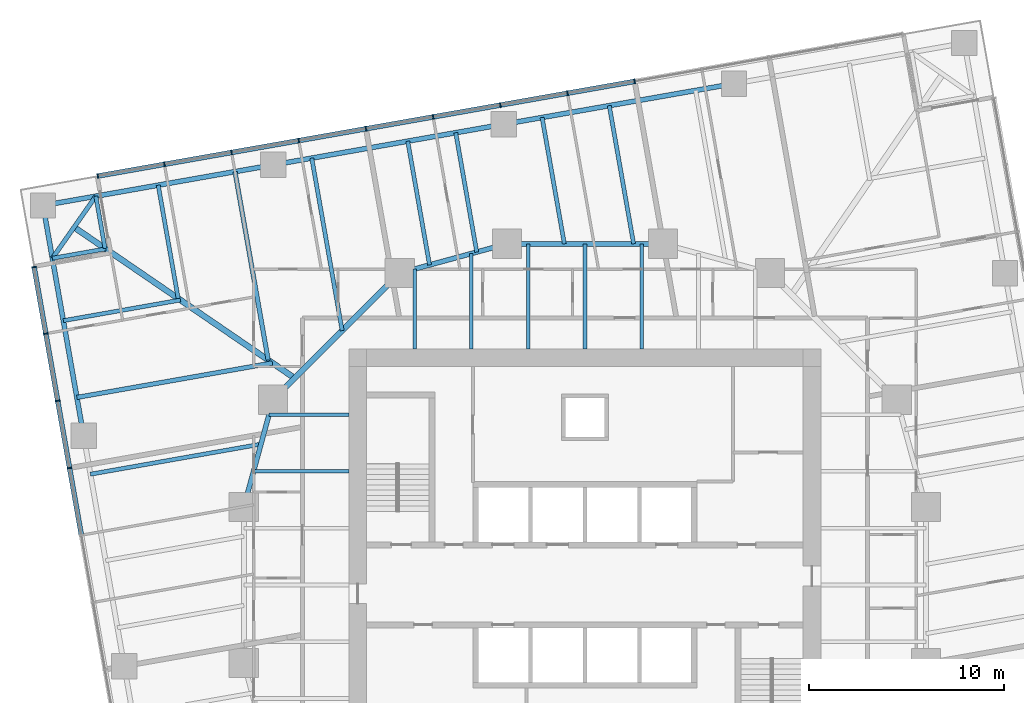
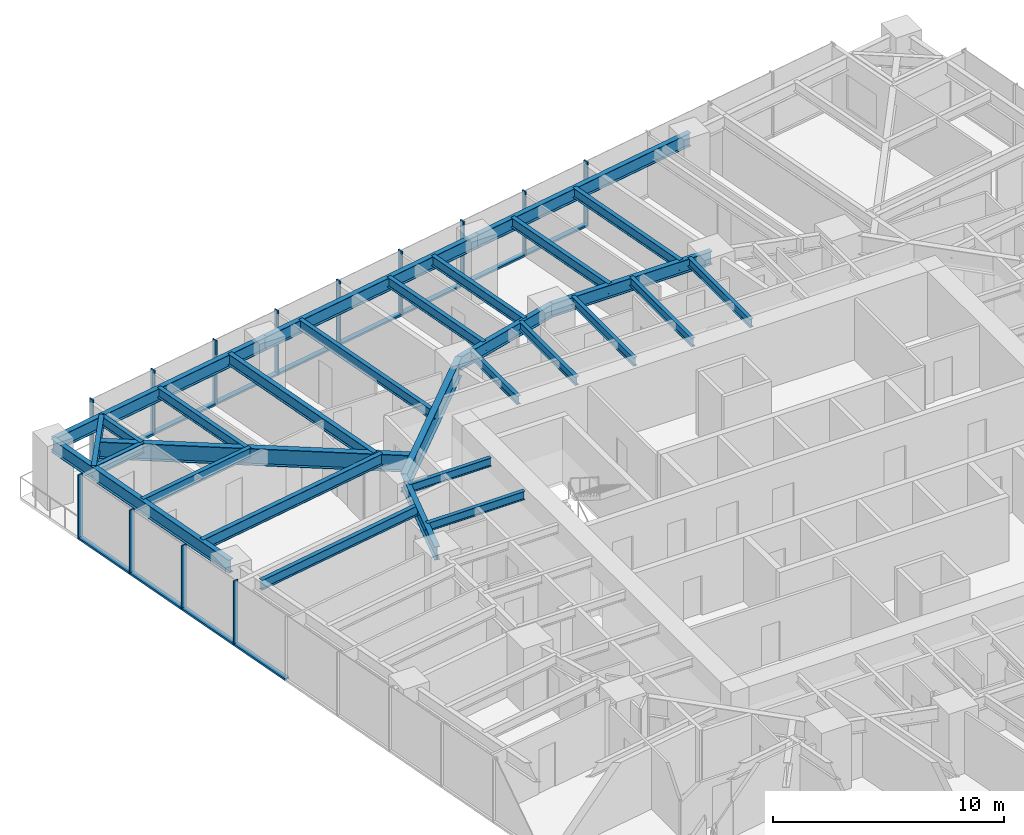
# One storey, part 5 of 14: 29 beams, 25 members, 2 elements without a shape of their own.
"""IFC4 building model written with IfcOpenShell, lengths in metres."""

from ifc_helpers import new_model, si_unit, direction, frame, origin, origin_2d, place, context, subcontext, project, spatial, rectangle, i_section, extrude, material, material_profile, profile_set, type_object, element, aggregate, save


model = new_model("IFC4")

# Units and contexts
model_context = context("Model", 3, precision=1e-05, world=origin(), true_north=direction((0.0, 1.0)))
body_context = subcontext(model_context, "Body", "Model", "MODEL_VIEW")
ifc_project = project(units=[si_unit("LENGTHUNIT", "METRE"), si_unit("AREAUNIT", "SQUARE_METRE"), si_unit("VOLUMEUNIT", "CUBIC_METRE"), si_unit("PLANEANGLEUNIT", "RADIAN"), si_unit("MASSUNIT", "GRAM", prefix="KILO")], contexts=[model_context])

# Site, building, storey
site_placement = place(None, origin())
site = spatial("IfcSite", under=ifc_project, at=site_placement, CompositionType="ELEMENT")
building_placement = place(site_placement, origin())
building = spatial("IfcBuilding", under=site, at=building_placement, Name="Torsade Residences", CompositionType="ELEMENT")
storey_placement = place(building_placement, frame((0.0, 0.0, 89.60009765625)))
storey = spatial("IfcBuildingStorey", under=building, at=storey_placement, Name="L24", CompositionType="ELEMENT", Elevation=89.60009765625)

# Beams
ifc_material_1 = material(Name="Steel grade 300", Category="steel")
ifc_material_profile_1 = material_profile(ifc_material_1, i_section(OverallWidth=0.300048828125, OverallDepth=0.89990234375, WebThickness=0.011962890625, FlangeThickness=0.02490234375, at=origin_2d()), Name="900WB175")
ifc_profile_set_1 = profile_set([ifc_material_profile_1], Name="Steel grade 300")
beam_type_1 = type_object("IfcBeamType", Name="CORNER GIRDER 900WB175", PredefinedType="BEAM", material=ifc_profile_set_1)
beam_1_placement = place(storey_placement, frame((13.7900390625, 48.3525390625, 2.7998046875), z_axis=(0.825279313977, -0.564724759437, 0.0), x_axis=(0.564724759437, 0.825279313977, 0.0)))
element("IfcBeam", 1, at=beam_1_placement, inside=storey, type_object=beam_type_1, Name="Corner girder 13 L25", PredefinedType="BEAM", context=body_context, shape_type="SweptSolid", body=[
    extrude(i_section(OverallWidth=0.300048828125, OverallDepth=0.89990234375, WebThickness=0.011962890625, FlangeThickness=0.02490234375, at=origin_2d()), origin(), (0.0, 0.0, 1.0), 13.7138671875),
])
ifc_material_2 = material(Name="Steel grade 300", Category="steel")
ifc_material_profile_2 = material_profile(ifc_material_2, i_section(OverallWidth=0.22802734375, OverallDepth=0.60205078125, WebThickness=0.010498046875, FlangeThickness=0.014892578125, FilletRadius=0.013916015625, at=origin_2d()), Name="610UB101")
ifc_profile_set_2 = profile_set([ifc_material_profile_2], Name="Steel grade 300")
beam_type_2 = type_object("IfcBeamType", Name="CORNER TRIMMER 610UB101", PredefinedType="BEAM", material=ifc_profile_set_2)
beam_2_placement = place(storey_placement, frame((12.674560546875, 46.759521484375, 2.948974609375), z_axis=(0.573576092373, 0.819152285145, 0.0), x_axis=(-0.819152285145, 0.573576092373, 0.0)))
element("IfcBeam", 2, at=beam_2_placement, inside=storey, type_object=beam_type_2, Name="Corner trimmer 13 L25", PredefinedType="BEAM", context=body_context, shape_type="SweptSolid", body=[
    extrude(i_section(OverallWidth=0.22802734375, OverallDepth=0.60205078125, WebThickness=0.010498046875, FlangeThickness=0.014892578125, FilletRadius=0.013916015625, at=origin_2d()), origin(), (0.0, 0.0, 1.0), 3.88916015625),
])

# Curtain wall, members
ifc_material_3 = material(Name="Aluminium and glass", Category="aluminium")
curtain_wall_type = type_object("IfcCurtainWallType", Name="FRITTED GLASS CURTAIN WALL LOW ZONE", PredefinedType="NOTDEFINED", material=ifc_material_3)
curtain_wall_1_placement = place(storey_placement, origin())
curtain_wall_1 = element("IfcCurtainWall", 3, at=curtain_wall_1_placement, inside=storey, type_object=curtain_wall_type, Name="Curtain wall L24 face 7", PredefinedType="NOTDEFINED")
ifc_material_4 = material(Name="Aluminium mullion", Category="aluminium")
ifc_material_profile_3 = material_profile(ifc_material_4, rectangle(XDim=0.25, YDim=0.06494140625, at=origin_2d()), Name="CURTAIN WALL MULLION 250x65")
ifc_profile_set_3 = profile_set([ifc_material_profile_3], Name="Aluminium mullion")
member_type_1 = type_object("IfcMemberType", Name="CURTAIN WALL MULLION 250x65", PredefinedType="MULLION", material=ifc_profile_set_3)
member_1_placement = place(storey_placement, frame((42.552490234375, 55.835693359375, 0.0), z_axis=(0.0, 0.0, 1.0), x_axis=(0.173648192638, -0.984807750372, 0.0)))
member_1 = element("IfcMember", 4, at=member_1_placement, type_object=member_type_1, Name="Mullion 5", PredefinedType="MULLION", context=body_context, shape_type="SweptSolid", body=[
    extrude(rectangle(XDim=0.25, YDim=0.06494140625, at=origin_2d()), origin(), (0.0, 0.0, 1.0), 3.39990234375),
])
member_2_placement = place(storey_placement, frame((39.105712890625, 55.22802734375, 0.0), z_axis=(0.0, 0.0, 1.0), x_axis=(0.173648192638, -0.984807750372, 0.0)))
member_2 = element("IfcMember", 5, at=member_2_placement, type_object=member_type_1, Name="Mullion 6", PredefinedType="MULLION", context=body_context, shape_type="SweptSolid", body=[
    extrude(rectangle(XDim=0.25, YDim=0.06494140625, at=origin_2d()), origin(), (0.0, 0.0, 1.0), 3.39990234375),
])
member_3_placement = place(storey_placement, frame((35.65869140625, 54.6201171875, 0.0), z_axis=(0.0, 0.0, 1.0), x_axis=(0.173648192638, -0.984807750372, 0.0)))
member_3 = element("IfcMember", 6, at=member_3_placement, type_object=member_type_1, Name="Mullion 7", PredefinedType="MULLION", context=body_context, shape_type="SweptSolid", body=[
    extrude(rectangle(XDim=0.25, YDim=0.06494140625, at=origin_2d()), origin(), (0.0, 0.0, 1.0), 3.39990234375),
])
member_4_placement = place(storey_placement, frame((32.2119140625, 54.012451171875, 0.0), z_axis=(0.0, 0.0, 1.0), x_axis=(0.173648192638, -0.984807750372, 0.0)))
member_4 = element("IfcMember", 7, at=member_4_placement, type_object=member_type_1, Name="Mullion 8", PredefinedType="MULLION", context=body_context, shape_type="SweptSolid", body=[
    extrude(rectangle(XDim=0.25, YDim=0.06494140625, at=origin_2d()), origin(), (0.0, 0.0, 1.0), 3.39990234375),
])
member_5_placement = place(storey_placement, frame((28.76513671875, 53.404541015625, 0.0), z_axis=(0.0, 0.0, 1.0), x_axis=(0.173648192638, -0.984807750372, 0.0)))
member_5 = element("IfcMember", 8, at=member_5_placement, type_object=member_type_1, Name="Mullion 9", PredefinedType="MULLION", context=body_context, shape_type="SweptSolid", body=[
    extrude(rectangle(XDim=0.25, YDim=0.06494140625, at=origin_2d()), origin(), (0.0, 0.0, 1.0), 3.39990234375),
])
member_6_placement = place(storey_placement, frame((25.318359375, 52.796875, 0.0), z_axis=(0.0, 0.0, 1.0), x_axis=(0.173648192638, -0.984807750372, 0.0)))
member_6 = element("IfcMember", 9, at=member_6_placement, type_object=member_type_1, Name="Mullion 10", PredefinedType="MULLION", context=body_context, shape_type="SweptSolid", body=[
    extrude(rectangle(XDim=0.25, YDim=0.06494140625, at=origin_2d()), origin(), (0.0, 0.0, 1.0), 3.39990234375),
])
member_7_placement = place(storey_placement, frame((21.87158203125, 52.189208984375, 0.0), z_axis=(0.0, 0.0, 1.0), x_axis=(0.173648192638, -0.984807750372, 0.0)))
member_7 = element("IfcMember", 10, at=member_7_placement, type_object=member_type_1, Name="Mullion 11", PredefinedType="MULLION", context=body_context, shape_type="SweptSolid", body=[
    extrude(rectangle(XDim=0.25, YDim=0.06494140625, at=origin_2d()), origin(), (0.0, 0.0, 1.0), 3.39990234375),
])
member_8_placement = place(storey_placement, frame((18.424560546875, 51.581298828125, 0.0), z_axis=(0.0, 0.0, 1.0), x_axis=(0.173648192638, -0.984807750372, 0.0)))
member_8 = element("IfcMember", 11, at=member_8_placement, type_object=member_type_1, Name="Mullion 12", PredefinedType="MULLION", context=body_context, shape_type="SweptSolid", body=[
    extrude(rectangle(XDim=0.25, YDim=0.06494140625, at=origin_2d()), origin(), (0.0, 0.0, 1.0), 3.39990234375),
])
member_9_placement = place(storey_placement, frame((15.009765625, 50.979248046875, 0.0), z_axis=(0.0, 0.0, 1.0), x_axis=(0.173648192638, -0.984807750372, 0.0)))
member_9 = element("IfcMember", 12, at=member_9_placement, type_object=member_type_1, Name="Mullion 13", PredefinedType="MULLION", context=body_context, shape_type="SweptSolid", body=[
    extrude(rectangle(XDim=0.25, YDim=0.06494140625, at=origin_2d()), origin(), (0.0, 0.0, 1.0), 3.39990234375),
])

curtain_wall_2_placement = place(storey_placement, origin())
curtain_wall_2 = element("IfcCurtainWall", 13, at=curtain_wall_2_placement, inside=storey, type_object=curtain_wall_type, Name="Curtain wall L24 face 10", PredefinedType="NOTDEFINED")
member_10_placement = place(storey_placement, frame((11.73876953125, 46.307861328125, 0.0), z_axis=(0.0, 0.0, 1.0), x_axis=(0.984807750372, 0.173648192638, 0.0)))
member_10 = element("IfcMember", 14, at=member_10_placement, type_object=member_type_1, Name="Mullion 1", PredefinedType="MULLION", context=body_context, shape_type="SweptSolid", body=[
    extrude(rectangle(XDim=0.25, YDim=0.06494140625, at=origin_2d()), origin(), (0.0, 0.0, 1.0), 3.39990234375),
])
member_11_placement = place(storey_placement, frame((12.341064453125, 42.892822265625, 0.0), z_axis=(0.0, 0.0, 1.0), x_axis=(0.984807750372, 0.173648192638, 0.0)))
member_11 = element("IfcMember", 15, at=member_11_placement, type_object=member_type_1, Name="Mullion 2", PredefinedType="MULLION", context=body_context, shape_type="SweptSolid", body=[
    extrude(rectangle(XDim=0.25, YDim=0.06494140625, at=origin_2d()), origin(), (0.0, 0.0, 1.0), 3.39990234375),
])
member_12_placement = place(storey_placement, frame((12.94873046875, 39.446044921875, 0.0), z_axis=(0.0, 0.0, 1.0), x_axis=(0.984807750372, 0.173648192638, 0.0)))
member_12 = element("IfcMember", 16, at=member_12_placement, type_object=member_type_1, Name="Mullion 3", PredefinedType="MULLION", context=body_context, shape_type="SweptSolid", body=[
    extrude(rectangle(XDim=0.25, YDim=0.06494140625, at=origin_2d()), origin(), (0.0, 0.0, 1.0), 3.39990234375),
])
member_13_placement = place(storey_placement, frame((13.556396484375, 35.999267578125, 0.0), z_axis=(0.0, 0.0, 1.0), x_axis=(0.984807750372, 0.173648192638, 0.0)))
member_13 = element("IfcMember", 17, at=member_13_placement, type_object=member_type_1, Name="Mullion 4", PredefinedType="MULLION", context=body_context, shape_type="SweptSolid", body=[
    extrude(rectangle(XDim=0.25, YDim=0.06494140625, at=origin_2d()), origin(), (0.0, 0.0, 1.0), 3.39990234375),
])

# Member
ifc_material_5 = material(Name="Aluminium transom", Category="aluminium")
ifc_material_profile_4 = material_profile(ifc_material_5, rectangle(XDim=0.25, YDim=0.10009765625, at=origin_2d()), Name="CURTAIN WALL TRANSOM 250x100")
ifc_profile_set_4 = profile_set([ifc_material_profile_4], Name="Aluminium transom")
member_type_2 = type_object("IfcMemberType", Name="CURTAIN WALL TRANSOM 250x100", PredefinedType="USERDEFINED", material=ifc_profile_set_4)
member_14_placement = place(storey_placement, frame((42.5205078125, 55.830078125, 0.0498046875), z_axis=(-0.984810021497, -0.17363531196, 0.0), x_axis=(0.17363531196, -0.984810021497, 0.0)))
member_14 = element("IfcMember", 18, at=member_14_placement, type_object=member_type_2, Name="Transom 5.1", ObjectType="TRANSOM", PredefinedType="USERDEFINED", context=body_context, shape_type="SweptSolid", body=[
    extrude(rectangle(XDim=0.25, YDim=0.10009765625, at=origin_2d()), origin(), (0.0, 0.0, 1.0), 3.43505859375),
])

member_15_placement = place(storey_placement, frame((39.07373046875, 55.222412109375, 0.0498046875), z_axis=(-0.98479786563, -0.173704242465, 0.0), x_axis=(0.173704242465, -0.98479786563, 0.0)))
member_15 = element("IfcMember", 19, at=member_15_placement, type_object=member_type_2, Name="Transom 6.1", ObjectType="TRANSOM", PredefinedType="USERDEFINED", context=body_context, shape_type="SweptSolid", body=[
    extrude(rectangle(XDim=0.25, YDim=0.10009765625, at=origin_2d()), origin(), (0.0, 0.0, 1.0), 3.43505859375),
])

member_16_placement = place(storey_placement, frame((35.626708984375, 54.614501953125, 0.0498046875), z_axis=(-0.984810021497, -0.17363531196, 0.0), x_axis=(0.17363531196, -0.984810021497, 0.0)))
member_16 = element("IfcMember", 20, at=member_16_placement, type_object=member_type_2, Name="Transom 7.1", ObjectType="TRANSOM", PredefinedType="USERDEFINED", context=body_context, shape_type="SweptSolid", body=[
    extrude(rectangle(XDim=0.25, YDim=0.10009765625, at=origin_2d()), origin(), (0.0, 0.0, 1.0), 3.43505859375),
])

member_17_placement = place(storey_placement, frame((32.179931640625, 54.0068359375, 0.0498046875), z_axis=(-0.984810021497, -0.17363531196, 0.0), x_axis=(0.17363531196, -0.984810021497, 0.0)))
member_17 = element("IfcMember", 21, at=member_17_placement, type_object=member_type_2, Name="Transom 8.1", ObjectType="TRANSOM", PredefinedType="USERDEFINED", context=body_context, shape_type="SweptSolid", body=[
    extrude(rectangle(XDim=0.25, YDim=0.10009765625, at=origin_2d()), origin(), (0.0, 0.0, 1.0), 3.43505859375),
])

member_18_placement = place(storey_placement, frame((28.733154296875, 53.39892578125, 0.0498046875), z_axis=(-0.984810021497, -0.17363531196, 0.0), x_axis=(0.17363531196, -0.984810021497, 0.0)))
member_18 = element("IfcMember", 22, at=member_18_placement, type_object=member_type_2, Name="Transom 9.1", ObjectType="TRANSOM", PredefinedType="USERDEFINED", context=body_context, shape_type="SweptSolid", body=[
    extrude(rectangle(XDim=0.25, YDim=0.10009765625, at=origin_2d()), origin(), (0.0, 0.0, 1.0), 3.43505859375),
])

member_19_placement = place(storey_placement, frame((25.286376953125, 52.791259765625, 0.0498046875), z_axis=(-0.984810021497, -0.17363531196, 0.0), x_axis=(0.17363531196, -0.984810021497, 0.0)))
member_19 = element("IfcMember", 23, at=member_19_placement, type_object=member_type_2, Name="Transom 10.1", ObjectType="TRANSOM", PredefinedType="USERDEFINED", context=body_context, shape_type="SweptSolid", body=[
    extrude(rectangle(XDim=0.25, YDim=0.10009765625, at=origin_2d()), origin(), (0.0, 0.0, 1.0), 3.43505859375),
])

member_20_placement = place(storey_placement, frame((21.839599609375, 52.18359375, 0.0498046875), z_axis=(-0.98479786563, -0.173704242465, 0.0), x_axis=(0.173704242465, -0.98479786563, 0.0)))
member_20 = element("IfcMember", 24, at=member_20_placement, type_object=member_type_2, Name="Transom 11.1", ObjectType="TRANSOM", PredefinedType="USERDEFINED", context=body_context, shape_type="SweptSolid", body=[
    extrude(rectangle(XDim=0.25, YDim=0.10009765625, at=origin_2d()), origin(), (0.0, 0.0, 1.0), 3.43505859375),
])

member_21_placement = place(storey_placement, frame((18.392578125, 51.57568359375, 0.0498046875), z_axis=(-0.984808830466, -0.173642067011, 0.0), x_axis=(0.173642067011, -0.984808830466, 0.0)))
member_21 = element("IfcMember", 25, at=member_21_placement, type_object=member_type_2, Name="Transom 12.1", ObjectType="TRANSOM", PredefinedType="USERDEFINED", context=body_context, shape_type="SweptSolid", body=[
    extrude(rectangle(XDim=0.25, YDim=0.10009765625, at=origin_2d()), origin(), (0.0, 0.0, 1.0), 3.402587890625),
])

aggregate(curtain_wall_1, [member_1, member_2, member_3, member_4, member_5, member_6, member_7, member_8, member_9, member_14, member_15, member_16, member_17, member_18, member_19, member_20, member_21])

member_22_placement = place(storey_placement, frame((11.744384765625, 46.275634765625, 0.0498046875), z_axis=(0.173654337918, -0.984806666774, 0.0), x_axis=(0.984806666774, 0.173654337918, 0.0)))
member_22 = element("IfcMember", 26, at=member_22_placement, type_object=member_type_2, Name="Transom 1.1", ObjectType="TRANSOM", PredefinedType="USERDEFINED", context=body_context, shape_type="SweptSolid", body=[
    extrude(rectangle(XDim=0.25, YDim=0.10009765625, at=origin_2d()), origin(), (0.0, 0.0, 1.0), 3.40234375),
])

member_23_placement = place(storey_placement, frame((12.3466796875, 42.86083984375, 0.0498046875), z_axis=(0.17363531196, -0.984810021497, 0.0), x_axis=(0.984810021497, 0.17363531196, 0.0)))
member_23 = element("IfcMember", 27, at=member_23_placement, type_object=member_type_2, Name="Transom 2.1", ObjectType="TRANSOM", PredefinedType="USERDEFINED", context=body_context, shape_type="SweptSolid", body=[
    extrude(rectangle(XDim=0.25, YDim=0.10009765625, at=origin_2d()), origin(), (0.0, 0.0, 1.0), 3.43505859375),
])

member_24_placement = place(storey_placement, frame((12.954345703125, 39.4140625, 0.0498046875), z_axis=(0.17363531196, -0.984810021497, 0.0), x_axis=(0.984810021497, 0.17363531196, 0.0)))
member_24 = element("IfcMember", 28, at=member_24_placement, type_object=member_type_2, Name="Transom 3.1", ObjectType="TRANSOM", PredefinedType="USERDEFINED", context=body_context, shape_type="SweptSolid", body=[
    extrude(rectangle(XDim=0.25, YDim=0.10009765625, at=origin_2d()), origin(), (0.0, 0.0, 1.0), 3.43505859375),
])

member_25_placement = place(storey_placement, frame((13.562255859375, 35.96728515625, 0.0498046875), z_axis=(0.17363531196, -0.984810021497, 0.0), x_axis=(0.984810021497, 0.17363531196, 0.0)))
member_25 = element("IfcMember", 29, at=member_25_placement, type_object=member_type_2, Name="Transom 4.1", ObjectType="TRANSOM", PredefinedType="USERDEFINED", context=body_context, shape_type="SweptSolid", body=[
    extrude(rectangle(XDim=0.25, YDim=0.10009765625, at=origin_2d()), origin(), (0.0, 0.0, 1.0), 3.43505859375),
])

aggregate(curtain_wall_2, [member_10, member_11, member_12, member_13, member_22, member_23, member_24, member_25])

# Beams
ifc_material_6 = material(Name="Steel grade 300", Category="steel")
ifc_material_profile_5 = material_profile(ifc_material_6, i_section(OverallWidth=0.25, OverallDepth=0.699951171875, WebThickness=0.010009765625, FlangeThickness=0.02001953125, at=origin_2d()), Name="700WB130")
ifc_profile_set_5 = profile_set([ifc_material_profile_5], Name="Steel grade 300")
beam_type_3 = type_object("IfcBeamType", Name="EDGE BEAM 700WB130", PredefinedType="SPANDREL", material=ifc_profile_set_5)
beam_3_placement = place(storey_placement, frame((47.650146484375, 55.71923828125, 2.89990234375), z_axis=(-0.984808127031, -0.173646056486, 0.0), x_axis=(0.173646056486, -0.984808127031, 0.0)))
element("IfcBeam", 30, at=beam_3_placement, inside=storey, type_object=beam_type_3, Name="Edge beam 10 L25", PredefinedType="SPANDREL", context=body_context, shape_type="SweptSolid", body=[
    extrude(i_section(OverallWidth=0.25, OverallDepth=0.699951171875, WebThickness=0.010009765625, FlangeThickness=0.02001953125, at=origin_2d()), origin(), (0.0, 0.0, 1.0), 12.0),
])
beam_4_placement = place(storey_placement, frame((35.83251953125, 53.635498046875, 2.89990234375), z_axis=(-0.984805261243, -0.173662308598, 0.0), x_axis=(0.173662308598, -0.984805261243, 0.0)))
element("IfcBeam", 31, at=beam_4_placement, inside=storey, type_object=beam_type_3, Name="Edge beam 11 L25", PredefinedType="SPANDREL", context=body_context, shape_type="SweptSolid", body=[
    extrude(i_section(OverallWidth=0.25, OverallDepth=0.699951171875, WebThickness=0.010009765625, FlangeThickness=0.02001953125, at=origin_2d()), origin(), (0.0, 0.0, 1.0), 12.000244140625),
])
for number, where, z_axis, x_axis, name in (
    (32, (24.0146484375, 51.551513671875, 2.89990234375), (-0.984808127031, -0.173646056486, 0.0), (0.173646056486, -0.984808127031, 0.0), "Edge beam 12 L25"),
    (33, (12.197021484375, 49.4677734375, 2.89990234375), (0.173646056486, -0.984808127031, 0.0), (0.984808127031, 0.173646056486, 0.0), "Edge beam 13 L25"),
):
    element("IfcBeam", number, at=place(storey_placement, frame(where, z_axis=z_axis, x_axis=x_axis)), inside=storey, type_object=beam_type_3, Name=name, PredefinedType="SPANDREL", context=body_context, shape_type="SweptSolid", body=[
        extrude(i_section(OverallWidth=0.25, OverallDepth=0.699951171875, WebThickness=0.010009765625, FlangeThickness=0.02001953125, at=origin_2d()), origin(), (0.0, 0.0, 1.0), 12.0),
    ])
ifc_material_7 = material(Name="Steel grade 300", Category="steel")
ifc_material_profile_6 = material_profile(ifc_material_7, i_section(OverallWidth=0.18994140625, OverallDepth=0.4541015625, WebThickness=0.008544921875, FlangeThickness=0.0126953125, FilletRadius=0.011474609375, at=origin_2d()), Name="460UB67.1")
ifc_profile_set_6 = profile_set([ifc_material_profile_6], Name="Steel grade 300")
beam_type_4 = type_object("IfcBeamType", Name="INNER FLOOR BEAM 460UB67.1", PredefinedType="JOIST", material=ifc_profile_set_6)
beam_5_placement = place(storey_placement, frame((31.262451171875, 42.10009765625, 3.02294921875), z_axis=(0.0, 1.0, 0.0), x_axis=(-1.0, 0.0, 0.0)))
element("IfcBeam", 34, at=beam_5_placement, inside=storey, type_object=beam_type_4, Name="Inner floor beam IN01 L25", PredefinedType="JOIST", context=body_context, shape_type="SweptSolid", body=[
    extrude(i_section(OverallWidth=0.18994140625, OverallDepth=0.4541015625, WebThickness=0.008544921875, FlangeThickness=0.0126953125, FilletRadius=0.011474609375, at=origin_2d()), origin(), (0.0, 0.0, 1.0), 4.10791015625),
])
beam_6_placement = place(storey_placement, frame((34.175048828125, 42.10009765625, 3.02294921875), z_axis=(0.0, 1.0, 0.0), x_axis=(-1.0, 0.0, 0.0)))
element("IfcBeam", 35, at=beam_6_placement, inside=storey, type_object=beam_type_4, Name="Inner floor beam IN02 L25", PredefinedType="JOIST", context=body_context, shape_type="SweptSolid", body=[
    extrude(i_section(OverallWidth=0.18994140625, OverallDepth=0.4541015625, WebThickness=0.008544921875, FlangeThickness=0.0126953125, FilletRadius=0.011474609375, at=origin_2d()), origin(), (0.0, 0.0, 1.0), 4.902099609375),
])
for number, where, z_axis, x_axis, name in (
    (36, (37.08740234375, 42.10009765625, 3.02294921875), (0.0, 1.0, 0.0), (-1.0, 0.0, 0.0), "Inner floor beam IN03 L25"),
    (37, (40.0, 42.10009765625, 3.02294921875), (0.0, 1.0, 0.0), (-1.0, 0.0, 0.0), "Inner floor beam IN04 L25"),
    (38, (42.91259765625, 42.10009765625, 3.02294921875), (0.0, 1.0, 0.0), (-1.0, 0.0, 0.0), "Inner floor beam IN05 L25"),
):
    element("IfcBeam", number, at=place(storey_placement, frame(where, z_axis=z_axis, x_axis=x_axis)), inside=storey, type_object=beam_type_4, Name=name, PredefinedType="JOIST", context=body_context, shape_type="SweptSolid", body=[
        extrude(i_section(OverallWidth=0.18994140625, OverallDepth=0.4541015625, WebThickness=0.008544921875, FlangeThickness=0.0126953125, FilletRadius=0.011474609375, at=origin_2d()), origin(), (0.0, 0.0, 1.0), 5.39990234375),
    ])
beam_7_placement = place(storey_placement, frame((27.89990234375, 38.737548828125, 3.02294921875), z_axis=(-1.0, 0.0, 0.0), x_axis=(0.0, -1.0, 0.0)))
element("IfcBeam", 39, at=beam_7_placement, inside=storey, type_object=beam_type_4, Name="Inner floor beam IW01 L25", PredefinedType="JOIST", context=body_context, shape_type="SweptSolid", body=[
    extrude(i_section(OverallWidth=0.18994140625, OverallDepth=0.4541015625, WebThickness=0.008544921875, FlangeThickness=0.0126953125, FilletRadius=0.011474609375, at=origin_2d()), origin(), (0.0, 0.0, 1.0), 4.10791015625),
])
beam_8_placement = place(storey_placement, frame((27.89990234375, 35.824951171875, 3.02294921875), z_axis=(-1.0, 0.0, 0.0), x_axis=(0.0, -1.0, 0.0)))
element("IfcBeam", 40, at=beam_8_placement, inside=storey, type_object=beam_type_4, Name="Inner floor beam IW02 L25", PredefinedType="JOIST", context=body_context, shape_type="SweptSolid", body=[
    extrude(i_section(OverallWidth=0.18994140625, OverallDepth=0.4541015625, WebThickness=0.008544921875, FlangeThickness=0.0126953125, FilletRadius=0.011474609375, at=origin_2d()), origin(), (0.0, 0.0, 1.0), 4.902099609375),
])
ifc_material_8 = material(Name="Steel grade 300", Category="steel")
ifc_material_profile_7 = material_profile(ifc_material_8, i_section(OverallWidth=0.300048828125, OverallDepth=1.0, WebThickness=0.01611328125, FlangeThickness=0.028076171875, at=origin_2d()), Name="1000WB215")
ifc_profile_set_7 = profile_set([ifc_material_profile_7], Name="Steel grade 300")
beam_type_5 = type_object("IfcBeamType", Name="RING CORNER GIRDER 1000WB215", PredefinedType="BEAM", material=ifc_profile_set_7)
beam_9_placement = place(storey_placement, frame((30.5, 46.0, 2.75), z_axis=(-0.707106781187, -0.707106781187, 0.0), x_axis=(0.707106781187, -0.707106781187, 0.0)))
element("IfcBeam", 41, at=beam_9_placement, inside=storey, type_object=beam_type_5, Name="Ring girder IR07 L25", PredefinedType="BEAM", context=body_context, shape_type="SweptSolid", body=[
    extrude(i_section(OverallWidth=0.300048828125, OverallDepth=1.0, WebThickness=0.01611328125, FlangeThickness=0.028076171875, at=origin_2d()), origin(), (0.0, 0.0, 1.0), 9.1923828125),
])
ifc_material_9 = material(Name="Steel grade 300", Category="steel")
ifc_material_profile_8 = material_profile(ifc_material_9, i_section(OverallWidth=0.25, OverallDepth=0.699951171875, WebThickness=0.010009765625, FlangeThickness=0.02001953125, at=origin_2d()), Name="700WB130")
ifc_profile_set_8 = profile_set([ifc_material_profile_8], Name="Steel grade 300")
beam_type_6 = type_object("IfcBeamType", Name="RING GIRDER 700WB130", PredefinedType="BEAM", material=ifc_profile_set_8)
beam_10_placement = place(storey_placement, frame((44.0, 47.5, 2.89990234375), z_axis=(-1.0, 0.0, 0.0), x_axis=(0.0, -1.0, 0.0)))
element("IfcBeam", 42, at=beam_10_placement, inside=storey, type_object=beam_type_6, Name="Ring girder IR05 L25", PredefinedType="BEAM", context=body_context, shape_type="SweptSolid", body=[
    extrude(i_section(OverallWidth=0.25, OverallDepth=0.699951171875, WebThickness=0.010009765625, FlangeThickness=0.02001953125, at=origin_2d()), origin(), (0.0, 0.0, 1.0), 8.0),
])
for number, where, z_axis, x_axis, name in (
    (43, (36.0, 47.5, 2.89990234375), (-0.964763821238, -0.263117405792, 0.0), (0.263117405792, -0.964763821238, 0.0), "Ring girder IR06 L25"),
    (44, (24.0, 39.5, 2.89990234375), (-0.263117405792, -0.964763821238, 0.0), (0.964763821238, -0.263117405792, 0.0), "Ring girder IR08 L25"),
):
    element("IfcBeam", number, at=place(storey_placement, frame(where, z_axis=z_axis, x_axis=x_axis)), inside=storey, type_object=beam_type_6, Name=name, PredefinedType="BEAM", context=body_context, shape_type="SweptSolid", body=[
        extrude(i_section(OverallWidth=0.25, OverallDepth=0.699951171875, WebThickness=0.010009765625, FlangeThickness=0.02001953125, at=origin_2d()), origin(), (0.0, 0.0, 1.0), 5.700927734375),
    ])
ifc_material_10 = material(Name="Steel grade 300", Category="steel")
ifc_material_profile_9 = material_profile(ifc_material_10, i_section(OverallWidth=0.208984375, OverallDepth=0.528076171875, WebThickness=0.009521484375, FlangeThickness=0.01318359375, FilletRadius=0.013916015625, at=origin_2d()), Name="530UB82.0")
ifc_profile_set_9 = profile_set([ifc_material_profile_9], Name="Steel grade 300")
beam_type_7 = type_object("IfcBeamType", Name="SECONDARY BEAM 530UB82.0", PredefinedType="JOIST", material=ifc_profile_set_9)
beam_11_placement = place(storey_placement, frame((41.248779296875, 54.59033203125, 2.98583984375), z_axis=(0.173651855324, -0.984807104535, 0.0), x_axis=(0.984807104535, 0.173651855324, 0.0)))
element("IfcBeam", 45, at=beam_11_placement, inside=storey, type_object=beam_type_7, Name="Floor beam FN05 L25", PredefinedType="JOIST", context=body_context, shape_type="SweptSolid", body=[
    extrude(i_section(OverallWidth=0.208984375, OverallDepth=0.528076171875, WebThickness=0.009521484375, FlangeThickness=0.01318359375, FilletRadius=0.013916015625, at=origin_2d()), origin(), (0.0, 0.0, 1.0), 7.19970703125),
])
beam_12_placement = place(storey_placement, frame((37.802001953125, 53.982666015625, 2.98583984375), z_axis=(0.173647806501, -0.984807818459, 0.0), x_axis=(0.984807818459, 0.173647806501, 0.0)))
element("IfcBeam", 46, at=beam_12_placement, inside=storey, type_object=beam_type_7, Name="Floor beam FN06 L25", PredefinedType="JOIST", context=body_context, shape_type="SweptSolid", body=[
    extrude(i_section(OverallWidth=0.208984375, OverallDepth=0.528076171875, WebThickness=0.009521484375, FlangeThickness=0.01318359375, FilletRadius=0.013916015625, at=origin_2d()), origin(), (0.0, 0.0, 1.0), 6.582763671875),
])
beam_13_placement = place(storey_placement, frame((33.370361328125, 53.201171875, 2.98583984375), z_axis=(0.173655425542, -0.984806474989, 0.0), x_axis=(0.984806474989, 0.173655425542, 0.0)))
element("IfcBeam", 47, at=beam_13_placement, inside=storey, type_object=beam_type_7, Name="Floor beam FN07 L25", PredefinedType="JOIST", context=body_context, shape_type="SweptSolid", body=[
    extrude(i_section(OverallWidth=0.208984375, OverallDepth=0.528076171875, WebThickness=0.009521484375, FlangeThickness=0.01318359375, FilletRadius=0.013916015625, at=origin_2d()), origin(), (0.0, 0.0, 1.0), 6.21826171875),
])
beam_14_placement = place(storey_placement, frame((30.908447265625, 52.76708984375, 2.98583984375), z_axis=(0.17363198078, -0.984810608823, 0.0), x_axis=(0.984810608823, 0.17363198078, 0.0)))
element("IfcBeam", 48, at=beam_14_placement, inside=storey, type_object=beam_type_7, Name="Floor beam FN08 L25", PredefinedType="JOIST", context=body_context, shape_type="SweptSolid", body=[
    extrude(i_section(OverallWidth=0.208984375, OverallDepth=0.528076171875, WebThickness=0.009521484375, FlangeThickness=0.01318359375, FilletRadius=0.013916015625, at=origin_2d()), origin(), (0.0, 0.0, 1.0), 6.4482421875),
])
beam_15_placement = place(storey_placement, frame((25.984375, 51.89892578125, 2.98583984375), z_axis=(0.173639706679, -0.984809246638, 0.0), x_axis=(0.984809246638, 0.173639706679, 0.0)))
element("IfcBeam", 49, at=beam_15_placement, inside=storey, type_object=beam_type_7, Name="Floor beam FN09 L25", PredefinedType="JOIST", context=body_context, shape_type="SweptSolid", body=[
    extrude(i_section(OverallWidth=0.208984375, OverallDepth=0.528076171875, WebThickness=0.009521484375, FlangeThickness=0.01318359375, FilletRadius=0.013916015625, at=origin_2d()), origin(), (0.0, 0.0, 1.0), 8.989990234375),
])
beam_16_placement = place(storey_placement, frame((18.10595703125, 50.509765625, 2.98583984375), z_axis=(0.173629569808, -0.984811033899, 0.0), x_axis=(0.984811033899, 0.173629569808, 0.0)))
element("IfcBeam", 50, at=beam_16_placement, inside=storey, type_object=beam_type_7, Name="Floor beam FN11 L25", PredefinedType="JOIST", context=body_context, shape_type="SweptSolid", body=[
    extrude(i_section(OverallWidth=0.208984375, OverallDepth=0.528076171875, WebThickness=0.009521484375, FlangeThickness=0.01318359375, FilletRadius=0.013916015625, at=origin_2d()), origin(), (0.0, 0.0, 1.0), 5.9013671875),
])
beam_17_placement = place(storey_placement, frame((14.9052734375, 49.9453125, 2.98583984375), z_axis=(0.17364710834, -0.984807941563, 0.0), x_axis=(0.984807941563, 0.17364710834, 0.0)))
element("IfcBeam", 51, at=beam_17_placement, inside=storey, type_object=beam_type_7, Name="Floor beam FN12 L25", PredefinedType="JOIST", context=body_context, shape_type="SweptSolid", body=[
    extrude(i_section(OverallWidth=0.208984375, OverallDepth=0.528076171875, WebThickness=0.009521484375, FlangeThickness=0.01318359375, FilletRadius=0.013916015625, at=origin_2d()), origin(), (0.0, 0.0, 1.0), 2.720458984375),
])
beam_18_placement = place(storey_placement, frame((12.674560546875, 46.759521484375, 2.98583984375), z_axis=(0.984797700832, 0.173705176765, 0.0), x_axis=(-0.173705176765, 0.984797700832, 0.0)))
element("IfcBeam", 52, at=beam_18_placement, inside=storey, type_object=beam_type_7, Name="Floor beam FW01 L25", PredefinedType="JOIST", context=body_context, shape_type="SweptSolid", body=[
    extrude(i_section(OverallWidth=0.208984375, OverallDepth=0.528076171875, WebThickness=0.009521484375, FlangeThickness=0.01318359375, FilletRadius=0.013916015625, at=origin_2d()), origin(), (0.0, 0.0, 1.0), 2.780029296875),
])
beam_19_placement = place(storey_placement, frame((13.239013671875, 43.55908203125, 2.98583984375), z_axis=(0.984809331556, 0.173639225065, 0.0), x_axis=(-0.173639225065, 0.984809331556, 0.0)))
element("IfcBeam", 53, at=beam_19_placement, inside=storey, type_object=beam_type_7, Name="Floor beam FW02 L25", PredefinedType="JOIST", context=body_context, shape_type="SweptSolid", body=[
    extrude(i_section(OverallWidth=0.208984375, OverallDepth=0.528076171875, WebThickness=0.009521484375, FlangeThickness=0.01318359375, FilletRadius=0.013916015625, at=origin_2d()), origin(), (0.0, 0.0, 1.0), 6.100830078125),
])
beam_20_placement = place(storey_placement, frame((14.628173828125, 35.680419921875, 2.98583984375), z_axis=(0.984804296147, 0.173667781384, 0.0), x_axis=(-0.173667781384, 0.984804296147, 0.0)))
element("IfcBeam", 54, at=beam_20_placement, inside=storey, type_object=beam_type_7, Name="Floor beam FW04 L25", PredefinedType="JOIST", context=body_context, shape_type="SweptSolid", body=[
    extrude(i_section(OverallWidth=0.208984375, OverallDepth=0.528076171875, WebThickness=0.009521484375, FlangeThickness=0.01318359375, FilletRadius=0.013916015625, at=origin_2d()), origin(), (0.0, 0.0, 1.0), 8.885986328125),
])
ifc_material_11 = material(Name="Steel grade 300", Category="steel")
ifc_material_profile_10 = material_profile(ifc_material_11, i_section(OverallWidth=0.22900390625, OverallDepth=0.612060546875, WebThickness=0.011962890625, FlangeThickness=0.01953125, FilletRadius=0.013916015625, at=origin_2d()), Name="610UB125")
ifc_profile_set_10 = profile_set([ifc_material_profile_10], Name="Steel grade 300")
beam_type_8 = type_object("IfcBeamType", Name="SECONDARY BEAM 610UB125", PredefinedType="JOIST", material=ifc_profile_set_10)
beam_21_placement = place(storey_placement, frame((22.045166015625, 51.204345703125, 2.94384765625), z_axis=(0.173651961637, -0.984807085789, 0.0), x_axis=(0.984807085789, 0.173651961637, 0.0)))
element("IfcBeam", 55, at=beam_21_placement, inside=storey, type_object=beam_type_8, Name="Floor beam FN10 L25", PredefinedType="JOIST", context=body_context, shape_type="SweptSolid", body=[
    extrude(i_section(OverallWidth=0.22900390625, OverallDepth=0.612060546875, WebThickness=0.011962890625, FlangeThickness=0.01953125, FilletRadius=0.013916015625, at=origin_2d()), origin(), (0.0, 0.0, 1.0), 9.816162109375),
])
beam_22_placement = place(storey_placement, frame((13.93359375, 39.619873046875, 2.94384765625), z_axis=(0.984808397525, 0.173644522411, 0.0), x_axis=(-0.173644522411, 0.984808397525, 0.0)))
element("IfcBeam", 56, at=beam_22_placement, inside=storey, type_object=beam_type_8, Name="Floor beam FW03 L25", PredefinedType="JOIST", context=body_context, shape_type="SweptSolid", body=[
    extrude(i_section(OverallWidth=0.22900390625, OverallDepth=0.612060546875, WebThickness=0.011962890625, FlangeThickness=0.01953125, FilletRadius=0.013916015625, at=origin_2d()), origin(), (0.0, 0.0, 1.0), 10.187744140625),
])

save(model, "model.ifc")
